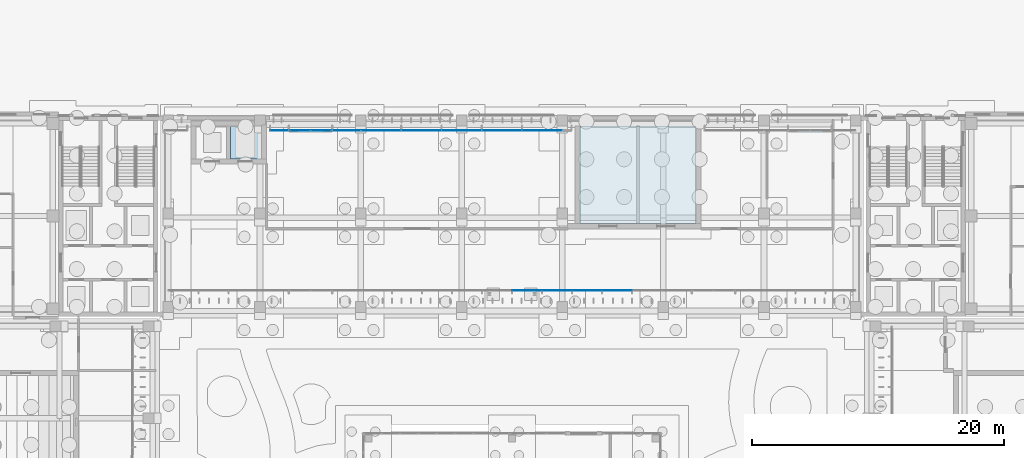
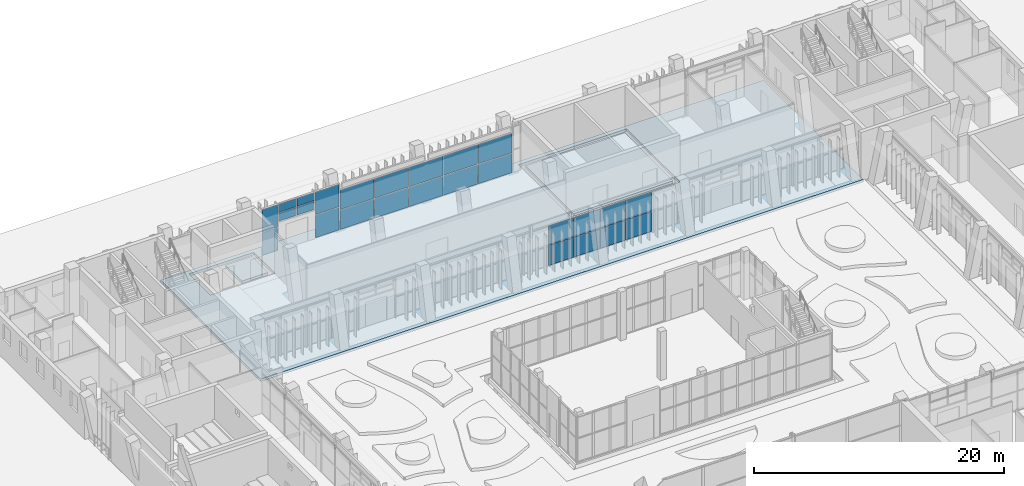
# One storey, part 98 of 144: 26 plates, 3 slabs, 5 elements without a shape of their own.
"""IFC4 building model written with IfcOpenShell, lengths in metres."""

import ifcopenshell
import ifcopenshell.guid

model = None  # the IFC model being written
_history = None  # IfcOwnerHistory: only IFC2X3 demands one
_inside = {}  # id of a spatial element -> (the spatial element, [elements in it])
_under = {}  # id of a project, library or spatial element -> (it, [spatial elements below it])
_declared = {}  # id of a project -> (the project, [libraries it declares])
_typed = {}  # id of a type object -> (the type object, [elements of that type])
_made_of = {}  # id of a material, layer set ... -> (it, [elements and type objects made of it])


def new_model(schema):
    """Start an empty IFC model of exactly this schema.

    Asked for "IFC4X3", IfcOpenShell would pick the latest addendum, in which some entities
    have other attributes; the version numbers below select the first issue.
    IFC2X3 requires an IfcOwnerHistory on every rooted entity: one is made here for all.
    """
    global model, _history
    if schema == "IFC4X3":
        model = ifcopenshell.file(schema_version=(4, 3, 0, 0))
    else:
        model = ifcopenshell.file(schema=schema)
    _inside.clear()
    _under.clear()
    _declared.clear()
    _typed.clear()
    _made_of.clear()
    _history = None
    if model.schema == "IFC2X3":
        org = make("IfcOrganization", Name="unknown")
        user = make(
            "IfcPersonAndOrganization",
            ThePerson=make("IfcPerson", FamilyName="unknown"),
            TheOrganization=org,
        )
        app = make(
            "IfcApplication",
            ApplicationDeveloper=org,
            Version="unknown",
            ApplicationFullName="unknown",
            ApplicationIdentifier="unknown",
        )
        _history = make(
            "IfcOwnerHistory",
            OwningUser=user,
            OwningApplication=app,
            ChangeAction="ADDED",
            CreationDate=0,
        )
    return model


def make(cls, **values):
    """One entity of the class cls with the attributes given. An attribute that is None is left unset."""
    return model.create_entity(
        cls, **{name: value for name, value in values.items() if value is not None}
    )


def rooted(cls, **values):
    """An entity with a GlobalId (a new one), such as an element, a storey or a relation."""
    return make(cls, GlobalId=ifcopenshell.guid.new(), OwnerHistory=_history, **values)


def si_unit(unit_type, name, prefix=None):
    """IfcSIUnit, for example si_unit("LENGTHUNIT", "METRE", prefix="MILLI")."""
    return make("IfcSIUnit", UnitType=unit_type, Prefix=prefix, Name=name)


def assignment(units):
    """IfcUnitAssignment: the units of a project."""
    return None if units is None else make("IfcUnitAssignment", Units=units)


def point(xyz):
    """IfcCartesianPoint."""
    return None if xyz is None else make("IfcCartesianPoint", Coordinates=xyz)


def direction(xyz):
    """IfcDirection."""
    return None if xyz is None else make("IfcDirection", DirectionRatios=xyz)


def frame(location, z_axis=None, x_axis=None):
    """IfcAxis2Placement3D, a coordinate frame: its origin and axes. An axis left out is left unset."""
    return make(
        "IfcAxis2Placement3D",
        Location=point(location),
        Axis=direction(z_axis),
        RefDirection=direction(x_axis),
    )


def frame_2d(location, x_axis=None):
    """IfcAxis2Placement2D, a coordinate frame in the plane: its origin and x axis."""
    return make(
        "IfcAxis2Placement2D", Location=point(location), RefDirection=direction(x_axis)
    )


def origin():
    """The frame at (0, 0, 0) with its axes left unset."""
    return frame((0.0, 0.0, 0.0))


def origin_2d():
    """The frame at (0, 0) in the plane with its x axis left unset."""
    return frame_2d((0.0, 0.0))


def place(relative_to, where):
    """IfcLocalPlacement: puts the frame where relative to a parent placement (None: the world)."""
    return make(
        "IfcLocalPlacement", PlacementRelTo=relative_to, RelativePlacement=where
    )


def context(
    kind, dimensions, precision=None, world=None, true_north=None, identifier=None
):
    """IfcGeometricRepresentationContext, for example the 3D "Model" context."""
    return make(
        "IfcGeometricRepresentationContext",
        ContextIdentifier=identifier,
        ContextType=kind,
        CoordinateSpaceDimension=dimensions,
        Precision=precision,
        WorldCoordinateSystem=world,
        TrueNorth=true_north,
    )


def subcontext(parent, identifier, kind, view, scale=None):
    """IfcGeometricRepresentationSubContext, for example "Body" below "Model"."""
    return make(
        "IfcGeometricRepresentationSubContext",
        ContextIdentifier=identifier,
        ContextType=kind,
        ParentContext=parent,
        TargetScale=scale,
        TargetView=view,
    )


def project(units=None, contexts=None):
    """IfcProject with its units and contexts."""
    return rooted(
        "IfcProject",
        Name="project",
        RepresentationContexts=contexts,
        UnitsInContext=assignment(units),
    )


def spatial(cls, under=None, at=None, **own):
    """A site, building, storey or space (cls), placed at a placement, below another one or the project."""
    s = rooted(cls, ObjectPlacement=at, **own)
    if under is not None:
        _under.setdefault(under.id(), (under, []))[1].append(s)
    return s


def polyline(points):
    """IfcPolyline through the points."""
    return make("IfcPolyline", Points=[point(p) for p in points])


def profile(cls, at=None, kind="AREA", **sizes):
    """A parametric profile (cls). Its sizes go by their IFC names, for example OverallWidth=200.0."""
    return make(cls, ProfileType=kind, Position=at, **sizes)


def rectangle(**sizes):
    """IfcRectangleProfileDef."""
    return profile("IfcRectangleProfileDef", **sizes)


def outline(outer, holes=None, kind="AREA"):
    """IfcArbitraryClosedProfileDef: a profile drawn as a closed curve; with holes, ...WithVoids."""
    if holes is None:
        return make("IfcArbitraryClosedProfileDef", ProfileType=kind, OuterCurve=outer)
    return make(
        "IfcArbitraryProfileDefWithVoids",
        ProfileType=kind,
        OuterCurve=outer,
        InnerCurves=holes,
    )


def extrude(swept, where, along, depth):
    """IfcExtrudedAreaSolid: the profile swept, set in the frame where, extruded along a direction by depth."""
    return make(
        "IfcExtrudedAreaSolid",
        SweptArea=swept,
        Position=where,
        ExtrudedDirection=direction(along),
        Depth=depth,
    )


def shape(context_of_items, identifier, shape_type, items):
    """IfcShapeRepresentation: the items that make up one representation, for example the "Body"."""
    return make(
        "IfcShapeRepresentation",
        ContextOfItems=context_of_items,
        RepresentationIdentifier=identifier,
        RepresentationType=shape_type,
        Items=items,
    )


def material(Name=None, Category=None):
    """IfcMaterial."""
    return make("IfcMaterial", Name=Name, Category=Category)


def layer(
    of_material, thickness, ventilated=None, Name=None, Category=None, Priority=None
):
    """IfcMaterialLayer: one layer of a wall or slab, of a material (None: an air gap)."""
    return make(
        "IfcMaterialLayer",
        Material=of_material,
        LayerThickness=thickness,
        IsVentilated=ventilated,
        Name=Name,
        Category=Category,
        Priority=Priority,
    )


def layer_set(layers, Name=None):
    """IfcMaterialLayerSet."""
    return make("IfcMaterialLayerSet", MaterialLayers=layers, LayerSetName=Name)


def made_of(thing, what):
    """Note that an element or type object is made of a material, layer set ...; save() writes the relation."""
    if what is not None:
        _made_of.setdefault(what.id(), (what, []))[1].append(thing)
    return thing


def type_object(cls, material=None, **own):
    """A type object (cls), such as IfcWallType, which elements share."""
    return made_of(rooted(cls, **own), material)


def element(
    cls,
    number,
    at=None,
    inside=None,
    cuts=None,
    type_object=None,
    material=None,
    context=None,
    identifier="Body",
    shape_type=None,
    held_by="IfcProductDefinitionShape",
    body=None,
    shapes=None,
    **own,
):
    """One element of the class cls, such as IfcWall. Its Tag is "e" and its number.

    at: its placement. inside: the storey or other place that contains it. cuts: it is an
    opening in that element (IfcRelVoidsElement). A single representation is given by context,
    identifier, shape_type and body (its items); several are given by shapes. held_by: the class
    of the entity that holds the representations. save() writes the other relations.
    """
    e = rooted(cls, Tag="e%d" % number, ObjectPlacement=at, **own)
    if body is not None:
        shapes = [shape(context, identifier, shape_type, body)]
    if shapes is not None:
        e.Representation = make(held_by, Representations=shapes)
    if inside is not None:
        _inside.setdefault(inside.id(), (inside, []))[1].append(e)
    if cuts is not None:
        rooted(
            "IfcRelVoidsElement", RelatingBuildingElement=cuts, RelatedOpeningElement=e
        )
    if type_object is not None:
        _typed.setdefault(type_object.id(), (type_object, []))[1].append(e)
    return made_of(e, material)


def aggregate(whole, parts):
    """IfcRelAggregates: a whole, such as a stair, and the parts it consists of."""
    return rooted("IfcRelAggregates", RelatingObject=whole, RelatedObjects=parts)


def save(model, path):
    """Write the relations noted so far, then the file.

    IfcRelAggregates (storeys below a building ...), IfcRelContainedInSpatialStructure (elements
    in a storey), IfcRelDefinesByType, IfcRelAssociatesMaterial and IfcRelDeclares: one each for
    every whole, place, type object, material and project.
    """
    for whole, parts in _under.values():
        aggregate(whole, parts)
    for where, things in _inside.values():
        rooted(
            "IfcRelContainedInSpatialStructure",
            RelatedElements=things,
            RelatingStructure=where,
        )
    for kind, things in _typed.values():
        rooted("IfcRelDefinesByType", RelatedObjects=things, RelatingType=kind)
    for what, things in _made_of.values():
        rooted("IfcRelAssociatesMaterial", RelatedObjects=things, RelatingMaterial=what)
    for by, libraries in _declared.values():
        rooted("IfcRelDeclares", RelatingContext=by, RelatedDefinitions=libraries)
    model.write(path)


model = new_model("IFC4")

# Units and contexts
model_context = context("Model", 3, precision=1e-05, world=origin(), true_north=direction((0.0, 1.0)))
body_context = subcontext(model_context, "Body", "Model", "MODEL_VIEW")
ifc_project = project(units=[si_unit("LENGTHUNIT", "METRE"), si_unit("AREAUNIT", "SQUARE_METRE"), si_unit("VOLUMEUNIT", "CUBIC_METRE"), si_unit("PLANEANGLEUNIT", "RADIAN"), si_unit("MASSUNIT", "GRAM", prefix="KILO")], contexts=[model_context])

# Site, building, storey
site_placement = place(None, origin())
site = spatial("IfcSite", under=ifc_project, at=site_placement, CompositionType="ELEMENT")
building_placement = place(site_placement, origin())
building = spatial("IfcBuilding", under=site, at=building_placement, Name="Lantern Court Media Centre", CompositionType="ELEMENT")
storey_placement = place(building_placement, origin())
storey = spatial("IfcBuildingStorey", under=building, at=storey_placement, Name="L00", CompositionType="ELEMENT", Elevation=0.0)

# Curtain wall, plates
ifc_material_1 = material(Name="Curtain wall bay 2400")
curtain_wall_type_1 = type_object("IfcCurtainWallType", Name="Curtain wall bay 2400", PredefinedType="NOTDEFINED", material=ifc_material_1)
curtain_wall_1_placement = place(storey_placement, origin())
curtain_wall_1 = element("IfcCurtainWall", 1, at=curtain_wall_1_placement, inside=storey, type_object=curtain_wall_type_1, Name="Curtain wall N inner L00", PredefinedType="NOTDEFINED")
ifc_material_2 = material(Name="Low-iron double glazed unit glass", Category="glass")
ifc_layer_1 = layer(ifc_material_2, 0.02392578125)
ifc_layer_set_1 = layer_set([ifc_layer_1], Name="Low-iron double glazed unit glass")
plate_type_1 = type_object("IfcPlateType", Name="Curtain wall glazing unit 24", PredefinedType="CURTAIN_PANEL", material=ifc_layer_set_1)
plate_1_placement = place(storey_placement, frame((53.191650390625, 98.14990234375, 0.050048828125), z_axis=(0.0, 0.0, 1.0), x_axis=(1.0, 0.0, 0.0)))
plate_1 = element("IfcPlate", 2, at=plate_1_placement, type_object=plate_type_1, Name="CW2 panel 7.1", PredefinedType="CURTAIN_PANEL", context=body_context, shape_type="SweptSolid", body=[
    extrude(rectangle(XDim=2.333251953125, YDim=0.02392578125, at=origin_2d()), origin(), (0.0, 0.0, 1.0), 1.89990234375),
])
plate_2_placement = place(storey_placement, frame((53.191650390625, 98.14990234375, 2.0), z_axis=(0.0, 0.0, 1.0), x_axis=(1.0, 0.0, 0.0)))
plate_2 = element("IfcPlate", 3, at=plate_2_placement, type_object=plate_type_1, Name="CW2 panel 7.2", PredefinedType="CURTAIN_PANEL", context=body_context, shape_type="SweptSolid", body=[
    extrude(rectangle(XDim=2.333251953125, YDim=0.02392578125, at=origin_2d()), origin(), (0.0, 0.0, 1.0), 1.89990234375),
])
plate_3_placement = place(storey_placement, frame((55.574951171875, 98.14990234375, 0.050048828125), z_axis=(0.0, 0.0, 1.0), x_axis=(1.0, 0.0, 0.0)))
plate_3 = element("IfcPlate", 4, at=plate_3_placement, type_object=plate_type_1, Name="CW2 panel 8.1", PredefinedType="CURTAIN_PANEL", context=body_context, shape_type="SweptSolid", body=[
    extrude(rectangle(XDim=2.333251953125, YDim=0.02392578125, at=origin_2d()), origin(), (0.0, 0.0, 1.0), 1.89990234375),
])
plate_4_placement = place(storey_placement, frame((55.574951171875, 98.14990234375, 2.0), z_axis=(0.0, 0.0, 1.0), x_axis=(1.0, 0.0, 0.0)))
plate_4 = element("IfcPlate", 5, at=plate_4_placement, type_object=plate_type_1, Name="CW2 panel 8.2", PredefinedType="CURTAIN_PANEL", context=body_context, shape_type="SweptSolid", body=[
    extrude(rectangle(XDim=2.333251953125, YDim=0.02392578125, at=origin_2d()), origin(), (0.0, 0.0, 1.0), 1.89990234375),
])
plate_5_placement = place(storey_placement, frame((57.958251953125, 98.14990234375, 0.050048828125), z_axis=(0.0, 0.0, 1.0), x_axis=(1.0, 0.0, 0.0)))
plate_5 = element("IfcPlate", 6, at=plate_5_placement, type_object=plate_type_1, Name="CW2 panel 9.1", PredefinedType="CURTAIN_PANEL", context=body_context, shape_type="SweptSolid", body=[
    extrude(rectangle(XDim=2.333251953125, YDim=0.02392578125, at=origin_2d()), origin(), (0.0, 0.0, 1.0), 1.89990234375),
])
plate_6_placement = place(storey_placement, frame((57.958251953125, 98.14990234375, 2.0), z_axis=(0.0, 0.0, 1.0), x_axis=(1.0, 0.0, 0.0)))
plate_6 = element("IfcPlate", 7, at=plate_6_placement, type_object=plate_type_1, Name="CW2 panel 9.2", PredefinedType="CURTAIN_PANEL", context=body_context, shape_type="SweptSolid", body=[
    extrude(rectangle(XDim=2.333251953125, YDim=0.02392578125, at=origin_2d()), origin(), (0.0, 0.0, 1.0), 1.89990234375),
])
plate_7_placement = place(storey_placement, frame((60.341552734375, 98.14990234375, 0.050048828125), z_axis=(0.0, 0.0, 1.0), x_axis=(1.0, 0.0, 0.0)))
plate_7 = element("IfcPlate", 8, at=plate_7_placement, type_object=plate_type_1, Name="CW2 panel 10.1", PredefinedType="CURTAIN_PANEL", context=body_context, shape_type="SweptSolid", body=[
    extrude(rectangle(XDim=2.333251953125, YDim=0.02392578125, at=origin_2d()), origin(), (0.0, 0.0, 1.0), 1.89990234375),
])
plate_8_placement = place(storey_placement, frame((60.341552734375, 98.14990234375, 2.0), z_axis=(0.0, 0.0, 1.0), x_axis=(1.0, 0.0, 0.0)))
plate_8 = element("IfcPlate", 9, at=plate_8_placement, type_object=plate_type_1, Name="CW2 panel 10.2", PredefinedType="CURTAIN_PANEL", context=body_context, shape_type="SweptSolid", body=[
    extrude(rectangle(XDim=2.333251953125, YDim=0.02392578125, at=origin_2d()), origin(), (0.0, 0.0, 1.0), 1.89990234375),
])
aggregate(curtain_wall_1, [plate_1, plate_2, plate_3, plate_4, plate_5, plate_6, plate_7, plate_8])

ifc_material_3 = material(Name="Curtain wall bay 3000")
curtain_wall_type_2 = type_object("IfcCurtainWallType", Name="Curtain wall bay 3000", PredefinedType="NOTDEFINED", material=ifc_material_3)
curtain_wall_2_placement = place(storey_placement, origin())
curtain_wall_2 = element("IfcCurtainWall", 10, at=curtain_wall_2_placement, inside=storey, type_object=curtain_wall_type_2, Name="Curtain wall N outer L00", PredefinedType="NOTDEFINED")
ifc_layer_2 = layer(ifc_material_2, 0.028076171875)
ifc_layer_set_2 = layer_set([ifc_layer_2], Name="Low-iron double glazed unit glass")
plate_type_2 = type_object("IfcPlateType", Name="Curtain wall glazing unit 28", PredefinedType="CURTAIN_PANEL", material=ifc_layer_set_2)
plate_9_placement = place(storey_placement, frame((33.52490234375, 110.85009765625, 0.06005859375), z_axis=(0.0, 0.0, 1.0), x_axis=(1.0, 0.0, 0.0)))
plate_9 = element("IfcPlate", 11, at=plate_9_placement, type_object=plate_type_2, Name="CW1 panel 1.1", PredefinedType="CURTAIN_PANEL", context=body_context, shape_type="SweptSolid", body=[
    extrude(rectangle(XDim=1.429931640625, YDim=0.028076171875, at=origin_2d()), origin(), (0.0, 0.0, 1.0), 2.199951171875),
])
plate_10_placement = place(storey_placement, frame((33.52490234375, 110.85009765625, 2.31982421875), z_axis=(0.0, 0.0, 1.0), x_axis=(1.0, 0.0, 0.0)))
plate_10 = element("IfcPlate", 12, at=plate_10_placement, type_object=plate_type_2, Name="CW1 panel 1.2", PredefinedType="CURTAIN_PANEL", context=body_context, shape_type="SweptSolid", body=[
    extrude(rectangle(XDim=1.429931640625, YDim=0.028076171875, at=origin_2d()), origin(), (0.0, 0.0, 1.0), 2.199951171875),
])
aggregate(curtain_wall_2, [plate_9, plate_10])

curtain_wall_3_placement = place(storey_placement, origin())
curtain_wall_3 = element("IfcCurtainWall", 13, at=curtain_wall_3_placement, inside=storey, type_object=curtain_wall_type_2, Name="Curtain wall N outer L00", PredefinedType="NOTDEFINED")
plate_11_placement = place(storey_placement, frame((38.85009765625, 110.85009765625, 0.06005859375), z_axis=(0.0, 0.0, 1.0), x_axis=(1.0, 0.0, 0.0)))
plate_11 = element("IfcPlate", 14, at=plate_11_placement, type_object=plate_type_2, Name="CW1 panel 1.1", PredefinedType="CURTAIN_PANEL", context=body_context, shape_type="SweptSolid", body=[
    extrude(rectangle(XDim=2.179931640625, YDim=0.028076171875, at=origin_2d()), origin(), (0.0, 0.0, 1.0), 2.199951171875),
])
plate_12_placement = place(storey_placement, frame((38.85009765625, 110.85009765625, 2.31982421875), z_axis=(0.0, 0.0, 1.0), x_axis=(1.0, 0.0, 0.0)))
plate_12 = element("IfcPlate", 15, at=plate_12_placement, type_object=plate_type_2, Name="CW1 panel 1.2", PredefinedType="CURTAIN_PANEL", context=body_context, shape_type="SweptSolid", body=[
    extrude(rectangle(XDim=2.179931640625, YDim=0.028076171875, at=origin_2d()), origin(), (0.0, 0.0, 1.0), 2.199951171875),
])
aggregate(curtain_wall_3, [plate_11, plate_12])

curtain_wall_4_placement = place(storey_placement, origin())
curtain_wall_4 = element("IfcCurtainWall", 16, at=curtain_wall_4_placement, inside=storey, type_object=curtain_wall_type_2, Name="Curtain wall N outer L00", PredefinedType="NOTDEFINED")
plate_13_placement = place(storey_placement, frame((41.614990234375, 110.85009765625, 0.06005859375), z_axis=(0.0, 0.0, 1.0), x_axis=(1.0, 0.0, 0.0)))
plate_13 = element("IfcPlate", 17, at=plate_13_placement, type_object=plate_type_2, Name="CW1 panel 1.1", PredefinedType="CURTAIN_PANEL", context=body_context, shape_type="SweptSolid", body=[
    extrude(rectangle(XDim=3.110107421875, YDim=0.028076171875, at=origin_2d()), origin(), (0.0, 0.0, 1.0), 1.885009765625),
])
plate_14_placement = place(storey_placement, frame((41.614990234375, 110.85009765625, 2.0048828125), z_axis=(0.0, 0.0, 1.0), x_axis=(1.0, 0.0, 0.0)))
plate_14 = element("IfcPlate", 18, at=plate_14_placement, type_object=plate_type_2, Name="CW1 panel 1.2", PredefinedType="CURTAIN_PANEL", context=body_context, shape_type="SweptSolid", body=[
    extrude(rectangle(XDim=3.110107421875, YDim=0.028076171875, at=origin_2d()), origin(), (0.0, 0.0, 1.0), 1.885009765625),
])
plate_15_placement = place(storey_placement, frame((44.800048828125, 110.85009765625, 0.06005859375), z_axis=(0.0, 0.0, 1.0), x_axis=(1.0, 0.0, 0.0)))
plate_15 = element("IfcPlate", 19, at=plate_15_placement, type_object=plate_type_2, Name="CW1 panel 2.1", PredefinedType="CURTAIN_PANEL", context=body_context, shape_type="SweptSolid", body=[
    extrude(rectangle(XDim=3.139892578125, YDim=0.028076171875, at=origin_2d()), origin(), (0.0, 0.0, 1.0), 1.885009765625),
])
plate_16_placement = place(storey_placement, frame((44.800048828125, 110.85009765625, 2.0048828125), z_axis=(0.0, 0.0, 1.0), x_axis=(1.0, 0.0, 0.0)))
plate_16 = element("IfcPlate", 20, at=plate_16_placement, type_object=plate_type_2, Name="CW1 panel 2.2", PredefinedType="CURTAIN_PANEL", context=body_context, shape_type="SweptSolid", body=[
    extrude(rectangle(XDim=3.139892578125, YDim=0.028076171875, at=origin_2d()), origin(), (0.0, 0.0, 1.0), 1.885009765625),
])
plate_17_placement = place(storey_placement, frame((48.0, 110.85009765625, 0.06005859375), z_axis=(0.0, 0.0, 1.0), x_axis=(1.0, 0.0, 0.0)))
plate_17 = element("IfcPlate", 21, at=plate_17_placement, type_object=plate_type_2, Name="CW1 panel 3.1", PredefinedType="CURTAIN_PANEL", context=body_context, shape_type="SweptSolid", body=[
    extrude(rectangle(XDim=3.139892578125, YDim=0.028076171875, at=origin_2d()), origin(), (0.0, 0.0, 1.0), 1.885009765625),
])
plate_18_placement = place(storey_placement, frame((48.0, 110.85009765625, 2.0048828125), z_axis=(0.0, 0.0, 1.0), x_axis=(1.0, 0.0, 0.0)))
plate_18 = element("IfcPlate", 22, at=plate_18_placement, type_object=plate_type_2, Name="CW1 panel 3.2", PredefinedType="CURTAIN_PANEL", context=body_context, shape_type="SweptSolid", body=[
    extrude(rectangle(XDim=3.139892578125, YDim=0.028076171875, at=origin_2d()), origin(), (0.0, 0.0, 1.0), 1.885009765625),
])
plate_19_placement = place(storey_placement, frame((51.199951171875, 110.85009765625, 0.06005859375), z_axis=(0.0, 0.0, 1.0), x_axis=(1.0, 0.0, 0.0)))
plate_19 = element("IfcPlate", 23, at=plate_19_placement, type_object=plate_type_2, Name="CW1 panel 4.1", PredefinedType="CURTAIN_PANEL", context=body_context, shape_type="SweptSolid", body=[
    extrude(rectangle(XDim=3.139892578125, YDim=0.028076171875, at=origin_2d()), origin(), (0.0, 0.0, 1.0), 1.885009765625),
])
plate_20_placement = place(storey_placement, frame((51.199951171875, 110.85009765625, 2.0048828125), z_axis=(0.0, 0.0, 1.0), x_axis=(1.0, 0.0, 0.0)))
plate_20 = element("IfcPlate", 24, at=plate_20_placement, type_object=plate_type_2, Name="CW1 panel 4.2", PredefinedType="CURTAIN_PANEL", context=body_context, shape_type="SweptSolid", body=[
    extrude(rectangle(XDim=3.139892578125, YDim=0.028076171875, at=origin_2d()), origin(), (0.0, 0.0, 1.0), 1.885009765625),
])
plate_21_placement = place(storey_placement, frame((54.385009765625, 110.85009765625, 0.06005859375), z_axis=(0.0, 0.0, 1.0), x_axis=(1.0, 0.0, 0.0)))
plate_21 = element("IfcPlate", 25, at=plate_21_placement, type_object=plate_type_2, Name="CW1 panel 5.1", PredefinedType="CURTAIN_PANEL", context=body_context, shape_type="SweptSolid", body=[
    extrude(rectangle(XDim=3.110107421875, YDim=0.028076171875, at=origin_2d()), origin(), (0.0, 0.0, 1.0), 1.885009765625),
])
plate_22_placement = place(storey_placement, frame((54.385009765625, 110.85009765625, 2.0048828125), z_axis=(0.0, 0.0, 1.0), x_axis=(1.0, 0.0, 0.0)))
plate_22 = element("IfcPlate", 26, at=plate_22_placement, type_object=plate_type_2, Name="CW1 panel 5.2", PredefinedType="CURTAIN_PANEL", context=body_context, shape_type="SweptSolid", body=[
    extrude(rectangle(XDim=3.110107421875, YDim=0.028076171875, at=origin_2d()), origin(), (0.0, 0.0, 1.0), 1.885009765625),
])
aggregate(curtain_wall_4, [plate_13, plate_14, plate_15, plate_16, plate_17, plate_18, plate_19, plate_20, plate_21, plate_22])

ifc_material_4 = material(Name="Curtain wall bay 1700")
curtain_wall_type_3 = type_object("IfcCurtainWallType", Name="Curtain wall bay 1700", PredefinedType="NOTDEFINED", material=ifc_material_4)
curtain_wall_5_placement = place(storey_placement, origin())
curtain_wall_5 = element("IfcCurtainWall", 27, at=curtain_wall_5_placement, inside=storey, type_object=curtain_wall_type_3, Name="Curtain wall N outer L00", PredefinedType="NOTDEFINED")
plate_23_placement = place(storey_placement, frame((35.1650390625, 110.85009765625, 2.85986328125), z_axis=(0.0, 0.0, 1.0), x_axis=(1.0, 0.0, 0.0)))
plate_23 = element("IfcPlate", 28, at=plate_23_placement, type_object=plate_type_2, Name="CW4 panel 1.1", PredefinedType="CURTAIN_PANEL", context=body_context, shape_type="SweptSolid", body=[
    extrude(rectangle(XDim=1.610107421875, YDim=0.028076171875, at=origin_2d()), origin(), (0.0, 0.0, 1.0), 0.800048828125),
])
plate_24_placement = place(storey_placement, frame((35.1650390625, 110.85009765625, 3.72021484375), z_axis=(0.0, 0.0, 1.0), x_axis=(1.0, 0.0, 0.0)))
plate_24 = element("IfcPlate", 29, at=plate_24_placement, type_object=plate_type_2, Name="CW4 panel 1.2", PredefinedType="CURTAIN_PANEL", context=body_context, shape_type="SweptSolid", body=[
    extrude(rectangle(XDim=1.610107421875, YDim=0.028076171875, at=origin_2d()), origin(), (0.0, 0.0, 1.0), 0.800048828125),
])
plate_25_placement = place(storey_placement, frame((36.8349609375, 110.85009765625, 2.85986328125), z_axis=(0.0, 0.0, 1.0), x_axis=(1.0, 0.0, 0.0)))
plate_25 = element("IfcPlate", 30, at=plate_25_placement, type_object=plate_type_2, Name="CW4 panel 2.1", PredefinedType="CURTAIN_PANEL", context=body_context, shape_type="SweptSolid", body=[
    extrude(rectangle(XDim=1.610107421875, YDim=0.028076171875, at=origin_2d()), origin(), (0.0, 0.0, 1.0), 0.800048828125),
])
plate_26_placement = place(storey_placement, frame((36.8349609375, 110.85009765625, 3.72021484375), z_axis=(0.0, 0.0, 1.0), x_axis=(1.0, 0.0, 0.0)))
plate_26 = element("IfcPlate", 31, at=plate_26_placement, type_object=plate_type_2, Name="CW4 panel 2.2", PredefinedType="CURTAIN_PANEL", context=body_context, shape_type="SweptSolid", body=[
    extrude(rectangle(XDim=1.610107421875, YDim=0.028076171875, at=origin_2d()), origin(), (0.0, 0.0, 1.0), 0.800048828125),
])
aggregate(curtain_wall_5, [plate_23, plate_24, plate_25, plate_26])

# Slabs
ifc_material_5 = material(Name="Concrete C35", Category="concrete")
ifc_layer_3 = layer(ifc_material_5, 0.25)
ifc_layer_set_3 = layer_set([ifc_layer_3], Name="Concrete C35")
slab_type = type_object("IfcSlabType", Name="RC GROUND SLAB 250", PredefinedType="BASESLAB", material=ifc_layer_set_3)
slab_1_placement = place(storey_placement, frame((0.0, 0.0, -0.25)))
element("IfcSlab", 32, at=slab_1_placement, inside=storey, type_object=slab_type, Name="SL-N-L00", PredefinedType="BASESLAB", context=body_context, shape_type="SweptSolid", body=[
    extrude(outline(polyline([(24.10009765625, 96.0), (24.10009765625, 112.0), (79.89990234375, 112.0), (79.89990234375, 96.0), (24.10009765625, 96.0)]), holes=[polyline([(57.0, 111.199951171875), (57.0, 103.449951171875), (57.0, 103.050048828125), (67.0, 103.050048828125), (67.0, 103.449951171875), (67.0, 111.199951171875), (67.0, 111.60009765625), (57.0, 111.60009765625), (57.0, 111.199951171875)]), polyline([(32.5, 108.199951171875), (32.5, 108.60009765625), (32.5, 111.199951171875), (32.5, 111.60009765625), (26.5, 111.60009765625), (26.5, 111.199951171875), (26.5, 108.60009765625), (26.5, 108.199951171875), (32.5, 108.199951171875)])]), origin(), (0.0, 0.0, 1.0), 0.25),
])
slab_2_placement = place(storey_placement, frame((0.0, 0.0, -0.25)))
element("IfcSlab", 33, at=slab_2_placement, inside=storey, type_object=slab_type, Name="SL-N-L00-2", PredefinedType="BASESLAB", context=body_context, shape_type="SweptSolid", body=[
    extrude(outline(polyline([(66.60009765625, 103.449951171875), (57.39990234375, 103.449951171875), (57.39990234375, 111.199951171875), (66.60009765625, 111.199951171875), (66.60009765625, 103.449951171875)])), origin(), (0.0, 0.0, 1.0), 0.25),
])
slab_3_placement = place(storey_placement, frame((0.0, 0.0, -0.25)))
element("IfcSlab", 34, at=slab_3_placement, inside=storey, type_object=slab_type, Name="SL-N-L00-3", PredefinedType="BASESLAB", context=body_context, shape_type="SweptSolid", body=[
    extrude(outline(polyline([(29.64990234375, 111.199951171875), (32.10009765625, 111.199951171875), (32.10009765625, 108.60009765625), (29.64990234375, 108.60009765625), (29.64990234375, 111.199951171875)])), origin(), (0.0, 0.0, 1.0), 0.25),
])

save(model, "model.ifc")
